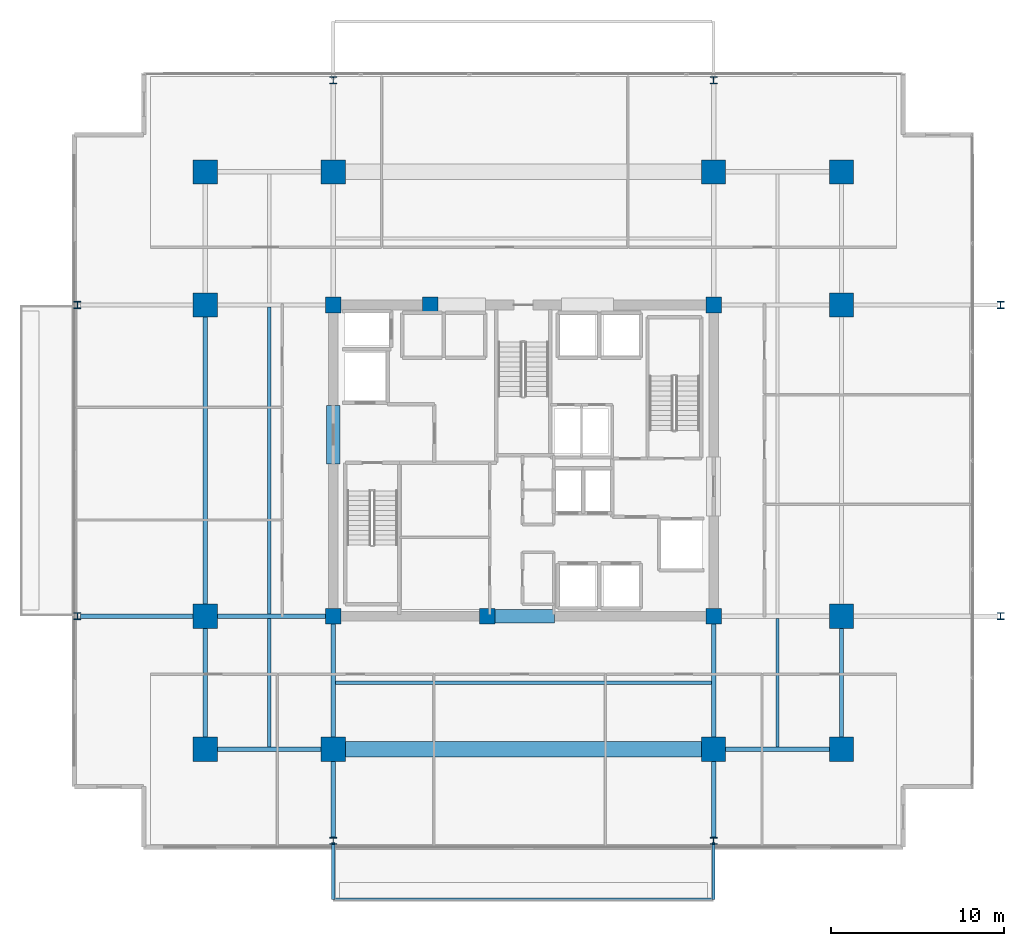
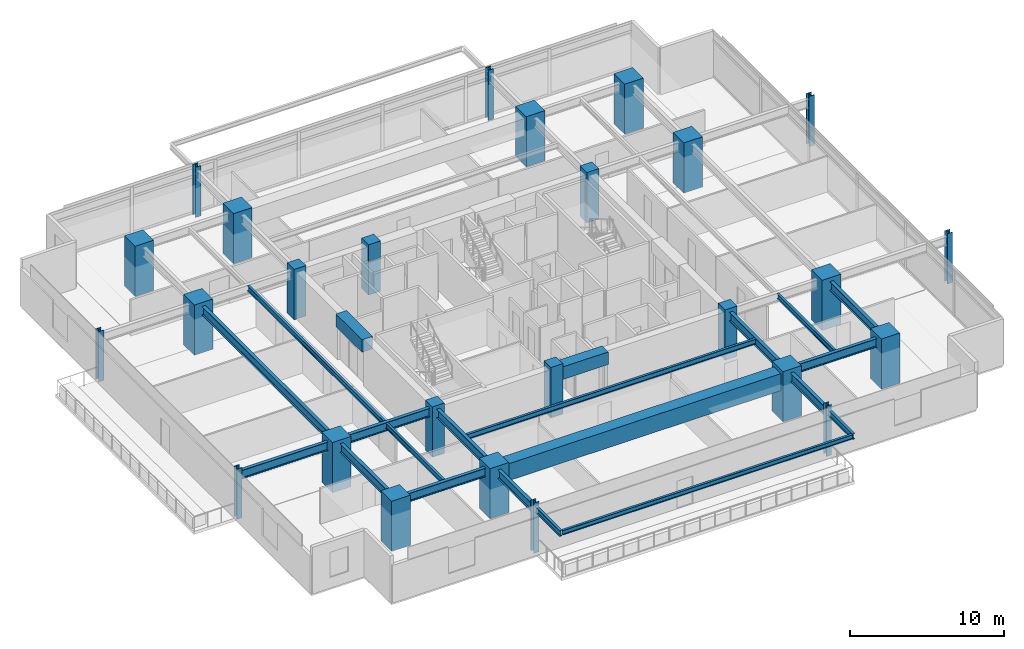
# One storey, part 1 of 22: 26 columns, 21 beams.
"""IFC4 building model written with IfcOpenShell, lengths in metres."""

from ifc_helpers import new_model, si_unit, direction, frame, origin, origin_2d, place, context, subcontext, project, spatial, rectangle, i_section, extrude, material, material_profile, profile_set, type_object, element, save


model = new_model("IFC4")

# Units and contexts
model_context = context("Model", 3, precision=1e-05, world=origin(), true_north=direction((0.0, 1.0)))
body_context = subcontext(model_context, "Body", "Model", "MODEL_VIEW")
ifc_project = project(units=[si_unit("LENGTHUNIT", "METRE"), si_unit("AREAUNIT", "SQUARE_METRE"), si_unit("VOLUMEUNIT", "CUBIC_METRE"), si_unit("PLANEANGLEUNIT", "RADIAN"), si_unit("MASSUNIT", "GRAM", prefix="KILO")], contexts=[model_context])

# Site, building, storey
site_placement = place(None, origin())
site = spatial("IfcSite", under=ifc_project, at=site_placement, CompositionType="ELEMENT")
building_placement = place(site_placement, origin())
building = spatial("IfcBuilding", under=site, at=building_placement, Name="Kovane Verandah Tower", CompositionType="ELEMENT")
storey_placement = place(building_placement, frame((0.0, 0.0, 229.199951171875)))
storey = spatial("IfcBuildingStorey", under=building, at=storey_placement, Name="L53", CompositionType="ELEMENT", Elevation=229.199951171875)

# Columns
ifc_material_1 = material(Name="Concrete C60/75", Category="concrete")
ifc_material_profile_1 = material_profile(ifc_material_1, rectangle(XDim=1.39990234375, YDim=1.39990234375, at=origin_2d()), Name="RC1400x1400")
ifc_profile_set_1 = profile_set([ifc_material_profile_1], Name="Concrete C60/75")
column_type_1 = type_object("IfcColumnType", Name="COL-RC1400", PredefinedType="COLUMN", material=ifc_profile_set_1)
for number, where, z_axis, x_axis, name in (
    (1, (29.0, 10.800048828125, 0.0), (0.0, 0.0, 1.0), (1.0, 0.0, 0.0), "L53 Tower Mega-Column MC-S1"),
    (2, (51.0, 10.800048828125, 0.0), (0.0, 0.0, 1.0), (1.0, 0.0, 0.0), "L53 Tower Mega-Column MC-S2"),
    (3, (29.0, 44.199951171875, 0.0), (0.0, 0.0, 1.0), (1.0, 0.0, 0.0), "L53 Tower Mega-Column MC-N1"),
    (4, (51.0, 44.199951171875, 0.0), (0.0, 0.0, 1.0), (1.0, 0.0, 0.0), "L53 Tower Mega-Column MC-N2"),
    (5, (21.60009765625, 18.5, 0.0), (0.0, 0.0, 1.0), (1.0, 0.0, 0.0), "L53 Tower Mega-Column MC-W1"),
    (6, (21.60009765625, 36.5, 0.0), (0.0, 0.0, 1.0), (1.0, 0.0, 0.0), "L53 Tower Mega-Column MC-W2"),
    (7, (58.39990234375, 18.5, 0.0), (0.0, 0.0, 1.0), (1.0, 0.0, 0.0), "L53 Tower Mega-Column MC-E1"),
    (8, (58.39990234375, 36.5, 0.0), (0.0, 0.0, 1.0), (1.0, 0.0, 0.0), "L53 Tower Mega-Column MC-E2"),
    (9, (21.60009765625, 10.800048828125, 0.0), (0.0, 0.0, 1.0), (1.0, 0.0, 0.0), "L53 Tower Mega-Column MC-SW"),
    (10, (58.39990234375, 10.800048828125, 0.0), (0.0, 0.0, 1.0), (1.0, 0.0, 0.0), "L53 Tower Mega-Column MC-SE"),
    (11, (21.60009765625, 44.199951171875, 0.0), (0.0, 0.0, 1.0), (1.0, 0.0, 0.0), "L53 Tower Mega-Column MC-NW"),
    (12, (58.39990234375, 44.199951171875, 0.0), (0.0, 0.0, 1.0), (1.0, 0.0, 0.0), "L53 Tower Mega-Column MC-NE"),
):
    element("IfcColumn", number, at=place(storey_placement, frame(where, z_axis=z_axis, x_axis=x_axis)), inside=storey, type_object=column_type_1, Name=name, PredefinedType="COLUMN", context=body_context, shape_type="SweptSolid", body=[
        extrude(rectangle(XDim=1.39990234375, YDim=1.39990234375, at=origin_2d()), origin(), (0.0, 0.0, 1.0), 4.0),
    ])
ifc_material_2 = material(Name="Steel S460", Category="steel")
ifc_material_profile_2 = material_profile(ifc_material_2, i_section(OverallWidth=0.403076171875, OverallDepth=0.406494140625, WebThickness=0.026611328125, FlangeThickness=0.04296875, FilletRadius=0.01513671875, at=origin_2d()), Name="UC356x406x340")
ifc_profile_set_2 = profile_set([ifc_material_profile_2], Name="Steel S460")
column_type_2 = type_object("IfcColumnType", Name="COL-UC340", PredefinedType="COLUMN", material=ifc_profile_set_2)
for number, where, z_axis, x_axis, name in (
    (13, (14.199951171875, 18.5, 0.0), (0.0, 0.0, 1.0), (1.0, 0.0, 0.0), "L53 Verandah Perimeter Column VC-W1"),
    (14, (14.199951171875, 36.5, 0.0), (0.0, 0.0, 1.0), (1.0, 0.0, 0.0), "L53 Verandah Perimeter Column VC-W2"),
    (15, (67.60009765625, 18.5, 0.0), (0.0, 0.0, 1.0), (1.0, 0.0, 0.0), "L53 Verandah Perimeter Column VC-E1"),
    (16, (67.60009765625, 36.5, 0.0), (0.0, 0.0, 1.0), (1.0, 0.0, 0.0), "L53 Verandah Perimeter Column VC-E2"),
    (17, (29.0, 5.5, 0.0), (0.0, 0.0, 1.0), (1.0, 0.0, 0.0), "L53 Verandah Perimeter Column VC-S1"),
    (18, (51.0, 5.5, 0.0), (0.0, 0.0, 1.0), (1.0, 0.0, 0.0), "L53 Verandah Perimeter Column VC-S2"),
    (19, (29.0, 49.5, 0.0), (0.0, 0.0, 1.0), (1.0, 0.0, 0.0), "L53 Verandah Perimeter Column VC-N1"),
    (20, (51.0, 49.5, 0.0), (0.0, 0.0, 1.0), (1.0, 0.0, 0.0), "L53 Verandah Perimeter Column VC-N2"),
):
    element("IfcColumn", number, at=place(storey_placement, frame(where, z_axis=z_axis, x_axis=x_axis)), inside=storey, type_object=column_type_2, Name=name, PredefinedType="COLUMN", context=body_context, shape_type="SweptSolid", body=[
        extrude(i_section(OverallWidth=0.403076171875, OverallDepth=0.406494140625, WebThickness=0.026611328125, FlangeThickness=0.04296875, FilletRadius=0.01513671875, at=origin_2d()), origin(), (0.0, 0.0, 1.0), 4.0),
    ])
ifc_material_profile_3 = material_profile(ifc_material_1, rectangle(XDim=0.89990234375, YDim=0.89990234375, at=origin_2d()), Name="RC900x900")
ifc_profile_set_3 = profile_set([ifc_material_profile_3], Name="Concrete C60/75")
column_type_3 = type_object("IfcColumnType", Name="PIL-RC900", PredefinedType="PILASTER", material=ifc_profile_set_3)
for number, where, z_axis, x_axis, name in (
    (21, (29.0, 18.5, 0.0), (0.0, 0.0, 1.0), (1.0, 0.0, 0.0), "L53 Core Pilaster CP-SW"),
    (22, (51.0, 18.5, 0.0), (0.0, 0.0, 1.0), (1.0, 0.0, 0.0), "L53 Core Pilaster CP-SE"),
    (23, (29.0, 36.5, 0.0), (0.0, 0.0, 1.0), (1.0, 0.0, 0.0), "L53 Core Pilaster CP-NW"),
    (24, (51.0, 36.5, 0.0), (0.0, 0.0, 1.0), (1.0, 0.0, 0.0), "L53 Core Pilaster CP-NE"),
    (25, (37.89990234375, 18.5, 0.0), (0.0, 0.0, 1.0), (1.0, 0.0, 0.0), "L53 Core Pilaster CP-S"),
    (26, (34.60009765625, 36.5, 0.0), (0.0, 0.0, 1.0), (1.0, 0.0, 0.0), "L53 Core Pilaster CP-N"),
):
    element("IfcColumn", number, at=place(storey_placement, frame(where, z_axis=z_axis, x_axis=x_axis)), inside=storey, type_object=column_type_3, Name=name, PredefinedType="PILASTER", context=body_context, shape_type="SweptSolid", body=[
        extrude(rectangle(XDim=0.89990234375, YDim=0.89990234375, at=origin_2d()), origin(), (0.0, 0.0, 1.0), 4.0),
    ])

# Beams
ifc_material_profile_4 = material_profile(ifc_material_1, rectangle(XDim=0.800048828125, YDim=1.0, at=origin_2d()), Name="RCB800x1000")
ifc_profile_set_4 = profile_set([ifc_material_profile_4], Name="Concrete C60/75")
beam_type_1 = type_object("IfcBeamType", Name="BM-LINTEL-800x1000", PredefinedType="LINTEL", material=ifc_profile_set_4)
beam_1_placement = place(storey_placement, frame((38.199951171875, 18.5, 3.199951171875), z_axis=(1.0, 0.0, 0.0), x_axis=(0.0, 1.0, 0.0)))
element("IfcBeam", 27, at=beam_1_placement, inside=storey, type_object=beam_type_1, Name="L53 Core Coupling Lintel CL-S", PredefinedType="LINTEL", context=body_context, shape_type="SweptSolid", body=[
    extrude(rectangle(XDim=0.800048828125, YDim=1.0, at=origin_2d()), origin(), (0.0, 0.0, 1.0), 3.60009765625),
])
beam_2_placement = place(storey_placement, frame((29.0, 27.300048828125, 3.199951171875), z_axis=(0.0, 1.0, 0.0), x_axis=(-1.0, 0.0, 0.0)))
element("IfcBeam", 28, at=beam_2_placement, inside=storey, type_object=beam_type_1, Name="L53 Core Coupling Lintel CL-W", PredefinedType="LINTEL", context=body_context, shape_type="SweptSolid", body=[
    extrude(rectangle(XDim=0.800048828125, YDim=1.0, at=origin_2d()), origin(), (0.0, 0.0, 1.0), 3.39990234375),
])
ifc_material_3 = material(Name="Concrete C80/95", Category="concrete")
ifc_material_profile_5 = material_profile(ifc_material_3, rectangle(XDim=0.89990234375, YDim=1.35009765625, at=origin_2d()), Name="RCB900x1350")
ifc_profile_set_5 = profile_set([ifc_material_profile_5], Name="Concrete C80/95")
beam_type_2 = type_object("IfcBeamType", Name="BM-TR-900x1350", PredefinedType="BEAM", material=ifc_profile_set_5)
beam_3_placement = place(storey_placement, frame((29.179931640625, 10.800048828125, 3.025146484375), z_axis=(1.0, 0.0, 0.0), x_axis=(0.0, 1.0, 0.0)))
element("IfcBeam", 29, at=beam_3_placement, inside=storey, type_object=beam_type_2, Name="L53 Primary Tower Girder G-RS2", PredefinedType="BEAM", context=body_context, shape_type="SweptSolid", body=[
    extrude(rectangle(XDim=0.89990234375, YDim=1.35009765625, at=origin_2d()), origin(), (0.0, 0.0, 1.0), 21.64013671875),
])
ifc_material_4 = material(Name="Steel S355", Category="steel")
ifc_material_profile_6 = material_profile(ifc_material_4, i_section(OverallWidth=0.255859375, OverallDepth=0.69287109375, WebThickness=0.014404296875, FlangeThickness=0.023681640625, FilletRadius=0.01513671875, at=origin_2d()), Name="UB686x254x170")
ifc_profile_set_6 = profile_set([ifc_material_profile_6], Name="Steel S355")
beam_type_3 = type_object("IfcBeamType", Name="BM-UB686x170", PredefinedType="BEAM", material=ifc_profile_set_6)
for number, where, z_axis, x_axis, name in (
    (30, (21.780029296875, 10.800048828125, 3.353759765625), (1.0, 0.0, 0.0), (0.0, 1.0, 0.0), "L53 Primary Tower Girder G-RS1"),
    (31, (51.179931640625, 10.800048828125, 3.353759765625), (1.0, 0.0, 0.0), (0.0, 1.0, 0.0), "L53 Primary Tower Girder G-RS3"),
):
    element("IfcBeam", number, at=place(storey_placement, frame(where, z_axis=z_axis, x_axis=x_axis)), inside=storey, type_object=beam_type_3, Name=name, PredefinedType="BEAM", context=body_context, shape_type="SweptSolid", body=[
        extrude(i_section(OverallWidth=0.255859375, OverallDepth=0.69287109375, WebThickness=0.014404296875, FlangeThickness=0.023681640625, FilletRadius=0.01513671875, at=origin_2d()), origin(), (0.0, 0.0, 1.0), 7.0400390625),
    ])
beam_4_placement = place(storey_placement, frame((21.60009765625, 10.97998046875, 3.353759765625), z_axis=(0.0, 1.0, 0.0), x_axis=(-1.0, 0.0, 0.0)))
element("IfcBeam", 32, at=beam_4_placement, inside=storey, type_object=beam_type_3, Name="L53 Primary Tower Girder G-RW1", PredefinedType="BEAM", context=body_context, shape_type="SweptSolid", body=[
    extrude(i_section(OverallWidth=0.255859375, OverallDepth=0.69287109375, WebThickness=0.014404296875, FlangeThickness=0.023681640625, FilletRadius=0.01513671875, at=origin_2d()), origin(), (0.0, 0.0, 1.0), 7.340087890625),
])
beam_5_placement = place(storey_placement, frame((21.60009765625, 18.679931640625, 3.353759765625), z_axis=(0.0, 1.0, 0.0), x_axis=(-1.0, 0.0, 0.0)))
element("IfcBeam", 33, at=beam_5_placement, inside=storey, type_object=beam_type_3, Name="L53 Primary Tower Girder G-RW2", PredefinedType="BEAM", context=body_context, shape_type="SweptSolid", body=[
    extrude(i_section(OverallWidth=0.255859375, OverallDepth=0.69287109375, WebThickness=0.014404296875, FlangeThickness=0.023681640625, FilletRadius=0.01513671875, at=origin_2d()), origin(), (0.0, 0.0, 1.0), 17.64013671875),
])
beam_6_placement = place(storey_placement, frame((58.39990234375, 10.97998046875, 3.353759765625), z_axis=(0.0, 1.0, 0.0), x_axis=(-1.0, 0.0, 0.0)))
element("IfcBeam", 34, at=beam_6_placement, inside=storey, type_object=beam_type_3, Name="L53 Primary Tower Girder G-RE1", PredefinedType="BEAM", context=body_context, shape_type="SweptSolid", body=[
    extrude(i_section(OverallWidth=0.255859375, OverallDepth=0.69287109375, WebThickness=0.014404296875, FlangeThickness=0.023681640625, FilletRadius=0.01513671875, at=origin_2d()), origin(), (0.0, 0.0, 1.0), 7.340087890625),
])
beam_7_placement = place(storey_placement, frame((28.820068359375, 18.5, 3.353759765625), z_axis=(-1.0, 0.0, 0.0), x_axis=(0.0, -1.0, 0.0)))
element("IfcBeam", 35, at=beam_7_placement, inside=storey, type_object=beam_type_3, Name="L53 Primary Tower Girder G-W1", PredefinedType="BEAM", context=body_context, shape_type="SweptSolid", body=[
    extrude(i_section(OverallWidth=0.255859375, OverallDepth=0.69287109375, WebThickness=0.014404296875, FlangeThickness=0.023681640625, FilletRadius=0.01513671875, at=origin_2d()), origin(), (0.0, 0.0, 1.0), 7.0400390625),
])
for number, where, z_axis, x_axis, name in (
    (36, (29.0, 18.320068359375, 3.353759765625), (0.0, -1.0, 0.0), (1.0, 0.0, 0.0), "L53 Primary Tower Girder G-S1"),
    (37, (51.0, 18.320068359375, 3.353759765625), (0.0, -1.0, 0.0), (1.0, 0.0, 0.0), "L53 Primary Tower Girder G-S2"),
):
    element("IfcBeam", number, at=place(storey_placement, frame(where, z_axis=z_axis, x_axis=x_axis)), inside=storey, type_object=beam_type_3, Name=name, PredefinedType="BEAM", context=body_context, shape_type="SweptSolid", body=[
        extrude(i_section(OverallWidth=0.255859375, OverallDepth=0.69287109375, WebThickness=0.014404296875, FlangeThickness=0.023681640625, FilletRadius=0.01513671875, at=origin_2d()), origin(), (0.0, 0.0, 1.0), 7.340087890625),
    ])
beam_8_placement = place(storey_placement, frame((21.419921875, 18.5, 3.353759765625), z_axis=(-1.0, 0.0, 0.0), x_axis=(0.0, -1.0, 0.0)))
element("IfcBeam", 38, at=beam_8_placement, inside=storey, type_object=beam_type_3, Name="L53 Primary Tower Girder G-VW1", PredefinedType="BEAM", context=body_context, shape_type="SweptSolid", body=[
    extrude(i_section(OverallWidth=0.255859375, OverallDepth=0.69287109375, WebThickness=0.014404296875, FlangeThickness=0.023681640625, FilletRadius=0.01513671875, at=origin_2d()), origin(), (0.0, 0.0, 1.0), 7.0400390625),
])
for number, where, z_axis, x_axis, name in (
    (39, (29.0, 10.6201171875, 3.353759765625), (0.0, -1.0, 0.0), (1.0, 0.0, 0.0), "L53 Primary Tower Girder G-VS1"),
    (40, (51.0, 10.6201171875, 3.353759765625), (0.0, -1.0, 0.0), (1.0, 0.0, 0.0), "L53 Primary Tower Girder G-VS2"),
):
    element("IfcBeam", number, at=place(storey_placement, frame(where, z_axis=z_axis, x_axis=x_axis)), inside=storey, type_object=beam_type_3, Name=name, PredefinedType="BEAM", context=body_context, shape_type="SweptSolid", body=[
        extrude(i_section(OverallWidth=0.255859375, OverallDepth=0.69287109375, WebThickness=0.014404296875, FlangeThickness=0.023681640625, FilletRadius=0.01513671875, at=origin_2d()), origin(), (0.0, 0.0, 1.0), 4.940185546875),
    ])
ifc_material_profile_7 = material_profile(ifc_material_4, i_section(OverallWidth=0.179443359375, OverallDepth=0.412841796875, WebThickness=0.009521484375, FlangeThickness=0.01611328125, FilletRadius=0.01025390625, at=origin_2d()), Name="UB406x178x74")
ifc_profile_set_7 = profile_set([ifc_material_profile_7], Name="Steel S355")
beam_type_4 = type_object("IfcBeamType", Name="JST-UB406x74", PredefinedType="JOIST", material=ifc_profile_set_7)
beam_9_placement = place(storey_placement, frame((29.1259765625, 14.64990234375, 3.49365234375), z_axis=(1.0, 0.0, 0.0), x_axis=(0.0, 1.0, 0.0)))
element("IfcBeam", 41, at=beam_9_placement, inside=storey, type_object=beam_type_4, Name="L53 Secondary Composite Joist J-S1", PredefinedType="JOIST", context=body_context, shape_type="SweptSolid", body=[
    extrude(i_section(OverallWidth=0.179443359375, OverallDepth=0.412841796875, WebThickness=0.009521484375, FlangeThickness=0.01611328125, FilletRadius=0.01025390625, at=origin_2d()), origin(), (0.0, 0.0, 1.0), 21.748046875),
])
beam_10_placement = place(storey_placement, frame((25.300048828125, 18.6259765625, 3.49365234375), z_axis=(0.0, 1.0, 0.0), x_axis=(-1.0, 0.0, 0.0)))
element("IfcBeam", 42, at=beam_10_placement, inside=storey, type_object=beam_type_4, Name="L53 Secondary Composite Joist J-W1", PredefinedType="JOIST", context=body_context, shape_type="SweptSolid", body=[
    extrude(i_section(OverallWidth=0.179443359375, OverallDepth=0.412841796875, WebThickness=0.009521484375, FlangeThickness=0.01611328125, FilletRadius=0.01025390625, at=origin_2d()), origin(), (0.0, 0.0, 1.0), 17.748046875),
])
for number, where, z_axis, x_axis, name in (
    (43, (25.300048828125, 10.92578125, 3.49365234375), (0.0, 1.0, 0.0), (-1.0, 0.0, 0.0), "L53 Secondary Composite Joist J-SW1"),
    (44, (54.699951171875, 10.92578125, 3.49365234375), (0.0, 1.0, 0.0), (-1.0, 0.0, 0.0), "L53 Secondary Composite Joist J-SE1"),
):
    element("IfcBeam", number, at=place(storey_placement, frame(where, z_axis=z_axis, x_axis=x_axis)), inside=storey, type_object=beam_type_4, Name=name, PredefinedType="JOIST", context=body_context, shape_type="SweptSolid", body=[
        extrude(i_section(OverallWidth=0.179443359375, OverallDepth=0.412841796875, WebThickness=0.009521484375, FlangeThickness=0.01611328125, FilletRadius=0.01025390625, at=origin_2d()), origin(), (0.0, 0.0, 1.0), 7.4482421875),
    ])
ifc_material_profile_8 = material_profile(ifc_material_4, i_section(OverallWidth=0.19287109375, OverallDepth=0.46728515625, WebThickness=0.011474609375, FlangeThickness=0.01953125, FilletRadius=0.01025390625, at=origin_2d()), Name="UB457x191x98")
ifc_profile_set_8 = profile_set([ifc_material_profile_8], Name="Steel S355")
beam_type_5 = type_object("IfcBeamType", Name="JST-UB457x98", PredefinedType="JOIST", material=ifc_profile_set_8)
for number, where, z_axis, x_axis, name in (
    (45, (29.0, 5.419921875, 3.466552734375), (0.0, -1.0, 0.0), (1.0, 0.0, 0.0), "L53 South Planter Girder 1"),
    (46, (51.0, 5.419921875, 3.466552734375), (0.0, -1.0, 0.0), (1.0, 0.0, 0.0), "L53 South Planter Girder 2"),
):
    element("IfcBeam", number, at=place(storey_placement, frame(where, z_axis=z_axis, x_axis=x_axis)), inside=storey, type_object=beam_type_5, Name=name, PredefinedType="JOIST", context=body_context, shape_type="SweptSolid", body=[
        extrude(i_section(OverallWidth=0.19287109375, OverallDepth=0.46728515625, WebThickness=0.011474609375, FlangeThickness=0.01953125, FilletRadius=0.01025390625, at=origin_2d()), origin(), (0.0, 0.0, 1.0), 3.319580078125),
    ])
ifc_material_profile_9 = material_profile(ifc_material_4, i_section(OverallWidth=0.173095703125, OverallDepth=0.36328125, WebThickness=0.009033203125, FlangeThickness=0.015625, FilletRadius=0.01025390625, at=origin_2d()), Name="UB356x171x67")
ifc_profile_set_9 = profile_set([ifc_material_profile_9], Name="Steel S355")
beam_type_6 = type_object("IfcBeamType", Name="SPD-UB356x67", PredefinedType="USERDEFINED", material=ifc_profile_set_9)
beam_11_placement = place(storey_placement, frame((29.094482421875, 2.100341796875, 3.518310546875), z_axis=(1.0, 0.0, 0.0), x_axis=(0.0, 1.0, 0.0)))
element("IfcBeam", 47, at=beam_11_placement, inside=storey, type_object=beam_type_6, Name="L53 South Planter Edge Spandrel", ObjectType="SPANDREL", PredefinedType="USERDEFINED", context=body_context, shape_type="SweptSolid", body=[
    extrude(i_section(OverallWidth=0.173095703125, OverallDepth=0.36328125, WebThickness=0.009033203125, FlangeThickness=0.015625, FilletRadius=0.01025390625, at=origin_2d()), origin(), (0.0, 0.0, 1.0), 21.81103515625),
])

save(model, "model.ifc")
